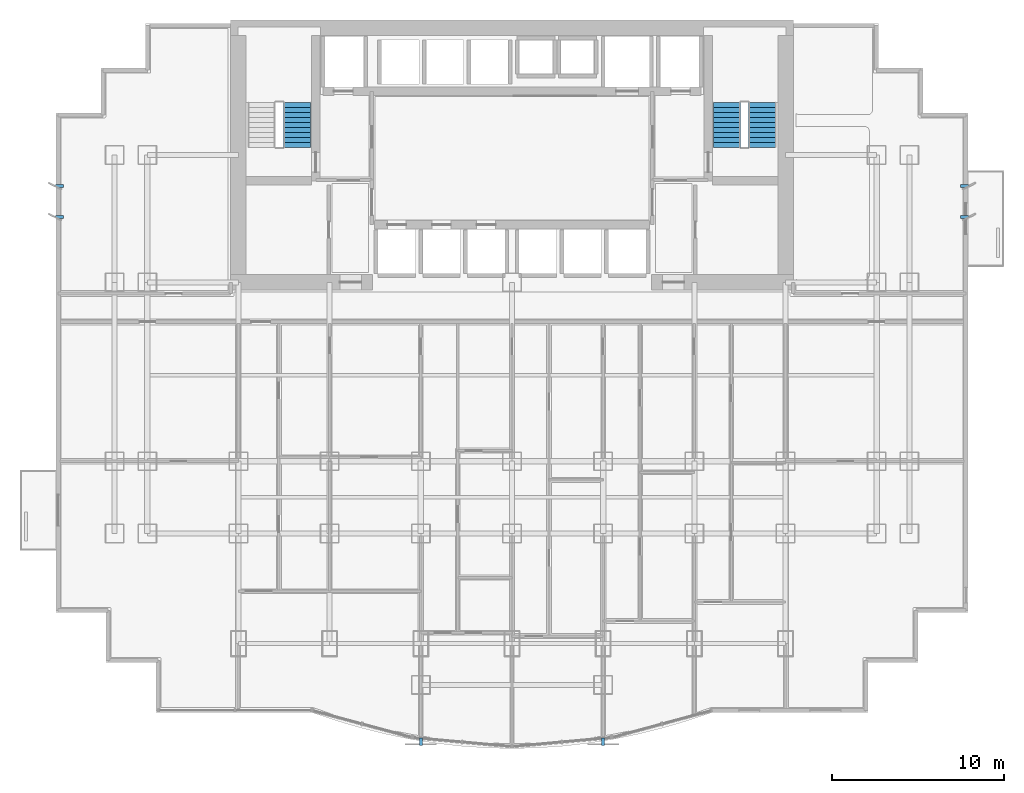
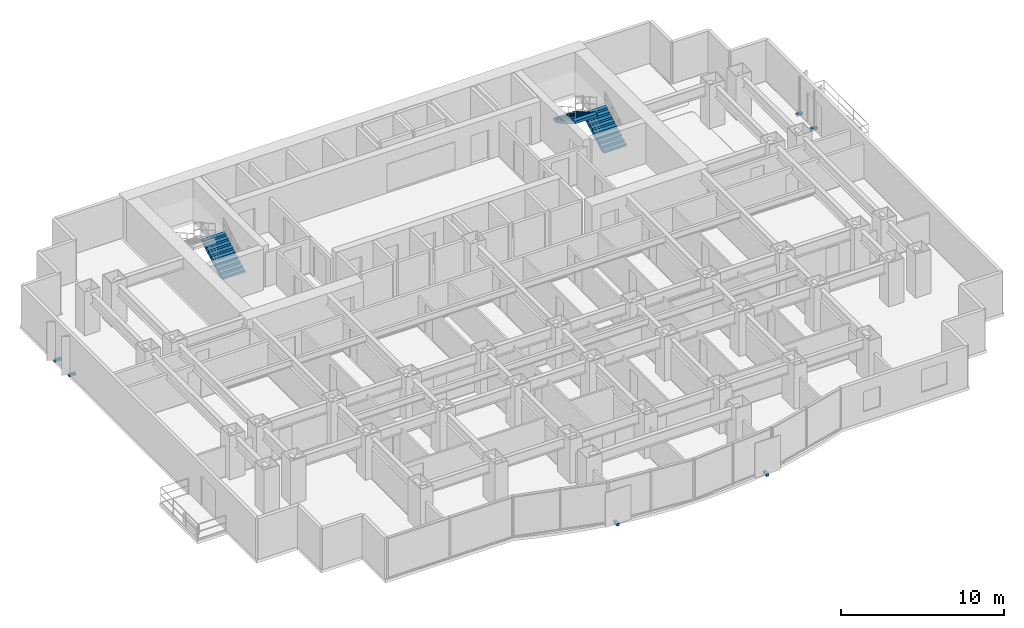
# One storey, part 8 of 10: 6 discrete accessories, 3 stair flights, 2 elements without a shape of their own.
"""IFC4 building model written with IfcOpenShell, lengths in metres."""

import ifcopenshell
import ifcopenshell.guid

model = None  # the IFC model being written
_history = None  # IfcOwnerHistory: only IFC2X3 demands one
_inside = {}  # id of a spatial element -> (the spatial element, [elements in it])
_under = {}  # id of a project, library or spatial element -> (it, [spatial elements below it])
_declared = {}  # id of a project -> (the project, [libraries it declares])
_typed = {}  # id of a type object -> (the type object, [elements of that type])
_made_of = {}  # id of a material, layer set ... -> (it, [elements and type objects made of it])


def new_model(schema):
    """Start an empty IFC model of exactly this schema.

    Asked for "IFC4X3", IfcOpenShell would pick the latest addendum, in which some entities
    have other attributes; the version numbers below select the first issue.
    IFC2X3 requires an IfcOwnerHistory on every rooted entity: one is made here for all.
    """
    global model, _history
    if schema == "IFC4X3":
        model = ifcopenshell.file(schema_version=(4, 3, 0, 0))
    else:
        model = ifcopenshell.file(schema=schema)
    _inside.clear()
    _under.clear()
    _declared.clear()
    _typed.clear()
    _made_of.clear()
    _history = None
    if model.schema == "IFC2X3":
        org = make("IfcOrganization", Name="unknown")
        user = make(
            "IfcPersonAndOrganization",
            ThePerson=make("IfcPerson", FamilyName="unknown"),
            TheOrganization=org,
        )
        app = make(
            "IfcApplication",
            ApplicationDeveloper=org,
            Version="unknown",
            ApplicationFullName="unknown",
            ApplicationIdentifier="unknown",
        )
        _history = make(
            "IfcOwnerHistory",
            OwningUser=user,
            OwningApplication=app,
            ChangeAction="ADDED",
            CreationDate=0,
        )
    return model


def make(cls, **values):
    """One entity of the class cls with the attributes given. An attribute that is None is left unset."""
    return model.create_entity(
        cls, **{name: value for name, value in values.items() if value is not None}
    )


def rooted(cls, **values):
    """An entity with a GlobalId (a new one), such as an element, a storey or a relation."""
    return make(cls, GlobalId=ifcopenshell.guid.new(), OwnerHistory=_history, **values)


def si_unit(unit_type, name, prefix=None):
    """IfcSIUnit, for example si_unit("LENGTHUNIT", "METRE", prefix="MILLI")."""
    return make("IfcSIUnit", UnitType=unit_type, Prefix=prefix, Name=name)


def assignment(units):
    """IfcUnitAssignment: the units of a project."""
    return None if units is None else make("IfcUnitAssignment", Units=units)


def point(xyz):
    """IfcCartesianPoint."""
    return None if xyz is None else make("IfcCartesianPoint", Coordinates=xyz)


def direction(xyz):
    """IfcDirection."""
    return None if xyz is None else make("IfcDirection", DirectionRatios=xyz)


def frame(location, z_axis=None, x_axis=None):
    """IfcAxis2Placement3D, a coordinate frame: its origin and axes. An axis left out is left unset."""
    return make(
        "IfcAxis2Placement3D",
        Location=point(location),
        Axis=direction(z_axis),
        RefDirection=direction(x_axis),
    )


def frame_2d(location, x_axis=None):
    """IfcAxis2Placement2D, a coordinate frame in the plane: its origin and x axis."""
    return make(
        "IfcAxis2Placement2D", Location=point(location), RefDirection=direction(x_axis)
    )


def origin():
    """The frame at (0, 0, 0) with its axes left unset."""
    return frame((0.0, 0.0, 0.0))


def origin_2d():
    """The frame at (0, 0) in the plane with its x axis left unset."""
    return frame_2d((0.0, 0.0))


def place(relative_to, where):
    """IfcLocalPlacement: puts the frame where relative to a parent placement (None: the world)."""
    return make(
        "IfcLocalPlacement", PlacementRelTo=relative_to, RelativePlacement=where
    )


def context(
    kind, dimensions, precision=None, world=None, true_north=None, identifier=None
):
    """IfcGeometricRepresentationContext, for example the 3D "Model" context."""
    return make(
        "IfcGeometricRepresentationContext",
        ContextIdentifier=identifier,
        ContextType=kind,
        CoordinateSpaceDimension=dimensions,
        Precision=precision,
        WorldCoordinateSystem=world,
        TrueNorth=true_north,
    )


def subcontext(parent, identifier, kind, view, scale=None):
    """IfcGeometricRepresentationSubContext, for example "Body" below "Model"."""
    return make(
        "IfcGeometricRepresentationSubContext",
        ContextIdentifier=identifier,
        ContextType=kind,
        ParentContext=parent,
        TargetScale=scale,
        TargetView=view,
    )


def project(units=None, contexts=None):
    """IfcProject with its units and contexts."""
    return rooted(
        "IfcProject",
        Name="project",
        RepresentationContexts=contexts,
        UnitsInContext=assignment(units),
    )


def spatial(cls, under=None, at=None, **own):
    """A site, building, storey or space (cls), placed at a placement, below another one or the project."""
    s = rooted(cls, ObjectPlacement=at, **own)
    if under is not None:
        _under.setdefault(under.id(), (under, []))[1].append(s)
    return s


def polyline(points):
    """IfcPolyline through the points."""
    return make("IfcPolyline", Points=[point(p) for p in points])


def profile(cls, at=None, kind="AREA", **sizes):
    """A parametric profile (cls). Its sizes go by their IFC names, for example OverallWidth=200.0."""
    return make(cls, ProfileType=kind, Position=at, **sizes)


def rectangle(**sizes):
    """IfcRectangleProfileDef."""
    return profile("IfcRectangleProfileDef", **sizes)


def outline(outer, holes=None, kind="AREA"):
    """IfcArbitraryClosedProfileDef: a profile drawn as a closed curve; with holes, ...WithVoids."""
    if holes is None:
        return make("IfcArbitraryClosedProfileDef", ProfileType=kind, OuterCurve=outer)
    return make(
        "IfcArbitraryProfileDefWithVoids",
        ProfileType=kind,
        OuterCurve=outer,
        InnerCurves=holes,
    )


def extrude(swept, where, along, depth):
    """IfcExtrudedAreaSolid: the profile swept, set in the frame where, extruded along a direction by depth."""
    return make(
        "IfcExtrudedAreaSolid",
        SweptArea=swept,
        Position=where,
        ExtrudedDirection=direction(along),
        Depth=depth,
    )


def shape(context_of_items, identifier, shape_type, items):
    """IfcShapeRepresentation: the items that make up one representation, for example the "Body"."""
    return make(
        "IfcShapeRepresentation",
        ContextOfItems=context_of_items,
        RepresentationIdentifier=identifier,
        RepresentationType=shape_type,
        Items=items,
    )


def source(mapping_origin, context_of_items, identifier, shape_type, items):
    """IfcRepresentationMap: a shape defined once, which mapped items show again and again."""
    return make(
        "IfcRepresentationMap",
        MappingOrigin=mapping_origin,
        MappedRepresentation=shape(context_of_items, identifier, shape_type, items),
    )


def transform(
    local_origin,
    x_axis=None,
    y_axis=None,
    z_axis=None,
    scale=None,
    scale2=None,
    scale3=None,
    uniform=True,
):
    """IfcCartesianTransformationOperator3D, or its non-uniform kind. x_axis, y_axis, z_axis: its Axis1, 2, 3."""
    if uniform:
        return make(
            "IfcCartesianTransformationOperator3D",
            Axis1=direction(x_axis),
            Axis2=direction(y_axis),
            LocalOrigin=point(local_origin),
            Scale=scale,
            Axis3=direction(z_axis),
        )
    return make(
        "IfcCartesianTransformationOperator3DnonUniform",
        Axis1=direction(x_axis),
        Axis2=direction(y_axis),
        LocalOrigin=point(local_origin),
        Scale=scale,
        Axis3=direction(z_axis),
        Scale2=scale2,
        Scale3=scale3,
    )


def mapped(mapping_source, mapping_target):
    """IfcMappedItem: shows the shape of a source again, moved by a transform."""
    return make(
        "IfcMappedItem", MappingSource=mapping_source, MappingTarget=mapping_target
    )


def material(Name=None, Category=None):
    """IfcMaterial."""
    return make("IfcMaterial", Name=Name, Category=Category)


def made_of(thing, what):
    """Note that an element or type object is made of a material, layer set ...; save() writes the relation."""
    if what is not None:
        _made_of.setdefault(what.id(), (what, []))[1].append(thing)
    return thing


def type_object(cls, material=None, **own):
    """A type object (cls), such as IfcWallType, which elements share."""
    return made_of(rooted(cls, **own), material)


def element(
    cls,
    number,
    at=None,
    inside=None,
    cuts=None,
    type_object=None,
    material=None,
    context=None,
    identifier="Body",
    shape_type=None,
    held_by="IfcProductDefinitionShape",
    body=None,
    shapes=None,
    **own,
):
    """One element of the class cls, such as IfcWall. Its Tag is "e" and its number.

    at: its placement. inside: the storey or other place that contains it. cuts: it is an
    opening in that element (IfcRelVoidsElement). A single representation is given by context,
    identifier, shape_type and body (its items); several are given by shapes. held_by: the class
    of the entity that holds the representations. save() writes the other relations.
    """
    e = rooted(cls, Tag="e%d" % number, ObjectPlacement=at, **own)
    if body is not None:
        shapes = [shape(context, identifier, shape_type, body)]
    if shapes is not None:
        e.Representation = make(held_by, Representations=shapes)
    if inside is not None:
        _inside.setdefault(inside.id(), (inside, []))[1].append(e)
    if cuts is not None:
        rooted(
            "IfcRelVoidsElement", RelatingBuildingElement=cuts, RelatedOpeningElement=e
        )
    if type_object is not None:
        _typed.setdefault(type_object.id(), (type_object, []))[1].append(e)
    return made_of(e, material)


def aggregate(whole, parts):
    """IfcRelAggregates: a whole, such as a stair, and the parts it consists of."""
    return rooted("IfcRelAggregates", RelatingObject=whole, RelatedObjects=parts)


def save(model, path):
    """Write the relations noted so far, then the file.

    IfcRelAggregates (storeys below a building ...), IfcRelContainedInSpatialStructure (elements
    in a storey), IfcRelDefinesByType, IfcRelAssociatesMaterial and IfcRelDeclares: one each for
    every whole, place, type object, material and project.
    """
    for whole, parts in _under.values():
        aggregate(whole, parts)
    for where, things in _inside.values():
        rooted(
            "IfcRelContainedInSpatialStructure",
            RelatedElements=things,
            RelatingStructure=where,
        )
    for kind, things in _typed.values():
        rooted("IfcRelDefinesByType", RelatedObjects=things, RelatingType=kind)
    for what, things in _made_of.values():
        rooted("IfcRelAssociatesMaterial", RelatedObjects=things, RelatingMaterial=what)
    for by, libraries in _declared.values():
        rooted("IfcRelDeclares", RelatingContext=by, RelatedDefinitions=libraries)
    model.write(path)


model = new_model("IFC4")

# Units and contexts
model_context = context("Model", 3, precision=1e-05, world=origin(), true_north=direction((0.0, 1.0)))
body_context = subcontext(model_context, "Body", "Model", "MODEL_VIEW")
ifc_project = project(units=[si_unit("LENGTHUNIT", "METRE"), si_unit("AREAUNIT", "SQUARE_METRE"), si_unit("VOLUMEUNIT", "CUBIC_METRE"), si_unit("PLANEANGLEUNIT", "RADIAN"), si_unit("MASSUNIT", "GRAM", prefix="KILO")], contexts=[model_context])

# Site, building, storey
site_placement = place(None, origin())
site = spatial("IfcSite", under=ifc_project, at=site_placement, CompositionType="ELEMENT")
building_placement = place(site_placement, origin())
building = spatial("IfcBuilding", under=site, at=building_placement, Name="Qianlan Lanfeng Residences", CompositionType="ELEMENT")
storey_placement = place(building_placement, frame((0.0, 0.0, 57.199951171875)))
storey = spatial("IfcBuildingStorey", under=building, at=storey_placement, Name="L15", CompositionType="ELEMENT", Elevation=57.199951171875)

# Stair, stair flight
ifc_material_1 = material(Name="Concrete C42", Category="concrete")
stair_type = type_object("IfcStairType", Name="STR-MAIN", PredefinedType="HALF_TURN_STAIR", material=ifc_material_1)
stair_1_placement = place(storey_placement, origin())
stair_1 = element("IfcStair", 1, at=stair_1_placement, inside=storey, type_object=stair_type, Name="L15 Exit Stair ST-1", PredefinedType="HALF_TURN_STAIR")
stair_flight_type = type_object("IfcStairFlightType", Name="FLT-1720", PredefinedType="STRAIGHT", material=ifc_material_1)
stair_flight_1_placement = place(storey_placement, frame((14.02001953125, 33.050048828125, 0.0), z_axis=(0.0, 0.0, 1.0), x_axis=(0.0, 1.0, 0.0)))
stair_flight_1 = element("IfcStairFlight", 2, at=stair_flight_1_placement, type_object=stair_flight_type, Name="ST-1 flight 1", NumberOfRisers=10, NumberOfTreads=9, PredefinedType="STRAIGHT", RiserHeight=0.165, TreadLength=0.29, context=body_context, shape_type="SweptSolid", body=[
    extrude(outline(polyline([(0.0, 0.0), (0.0, 0.1650390625), (0.2900390625, 0.1650390625), (0.2900390625, 0.330078125), (0.580078125, 0.330078125), (0.580078125, 0.4951171875), (0.8701171875, 0.4951171875), (0.8701171875, 0.659912109375), (1.159912109375, 0.659912109375), (1.159912109375, 0.824951171875), (1.449951171875, 0.824951171875), (1.449951171875, 0.989990234375), (1.739990234375, 0.989990234375), (1.739990234375, 1.155029296875), (2.030029296875, 1.155029296875), (2.030029296875, 1.320068359375), (2.320068359375, 1.320068359375), (2.320068359375, 1.485107421875), (2.610107421875, 1.485107421875), (2.610107421875, 1.64990234375), (2.610107421875, 1.278076171875), (0.36376953125, 0.0), (0.0, 0.0)])), frame((0.0, 0.800048828125, 0.0), z_axis=(0.0, -1.0, 0.0), x_axis=(1.0, 0.0, 0.0)), (0.0, 0.0, 1.0), 1.60009765625),
])
aggregate(stair_1, [stair_flight_1])

# Stair, stair flights
stair_2_placement = place(storey_placement, origin())
stair_2 = element("IfcStair", 3, at=stair_2_placement, inside=storey, type_object=stair_type, Name="L15 Exit Stair ST-2", PredefinedType="HALF_TURN_STAIR")
stair_flight_2_placement = place(storey_placement, frame((41.06005859375, 33.050048828125, 0.0), z_axis=(0.0, 0.0, 1.0), x_axis=(0.0, 1.0, 0.0)))
stair_flight_2 = element("IfcStairFlight", 4, at=stair_flight_2_placement, type_object=stair_flight_type, Name="ST-2 flight 1", NumberOfRisers=10, NumberOfTreads=9, PredefinedType="STRAIGHT", RiserHeight=0.165, TreadLength=0.29, context=body_context, shape_type="SweptSolid", body=[
    extrude(outline(polyline([(0.0, 0.0), (0.0, 0.1650390625), (0.2900390625, 0.1650390625), (0.2900390625, 0.330078125), (0.580078125, 0.330078125), (0.580078125, 0.4951171875), (0.8701171875, 0.4951171875), (0.8701171875, 0.659912109375), (1.159912109375, 0.659912109375), (1.159912109375, 0.824951171875), (1.449951171875, 0.824951171875), (1.449951171875, 0.989990234375), (1.739990234375, 0.989990234375), (1.739990234375, 1.155029296875), (2.030029296875, 1.155029296875), (2.030029296875, 1.320068359375), (2.320068359375, 1.320068359375), (2.320068359375, 1.485107421875), (2.610107421875, 1.485107421875), (2.610107421875, 1.64990234375), (2.610107421875, 1.278076171875), (0.36376953125, 0.0), (0.0, 0.0)])), frame((0.0, 0.800048828125, 0.0), z_axis=(0.0, -1.0, 0.0), x_axis=(1.0, 0.0, 0.0)), (0.0, 0.0, 1.0), 1.60009765625),
])
stair_flight_3_placement = place(storey_placement, frame((38.97998046875, 35.659912109375, 1.650146484375), z_axis=(0.0, 0.0, 1.0), x_axis=(0.0, -1.0, 0.0)))
stair_flight_3 = element("IfcStairFlight", 5, at=stair_flight_3_placement, type_object=stair_flight_type, Name="ST-2 flight 2", NumberOfRisers=10, NumberOfTreads=9, PredefinedType="STRAIGHT", RiserHeight=0.165, TreadLength=0.29, context=body_context, shape_type="SweptSolid", body=[
    extrude(outline(polyline([(0.0, 0.0), (0.0, 0.1650390625), (0.2900390625, 0.1650390625), (0.2900390625, 0.330078125), (0.580078125, 0.330078125), (0.580078125, 0.4951171875), (0.8701171875, 0.4951171875), (0.8701171875, 0.659912109375), (1.159912109375, 0.659912109375), (1.159912109375, 0.824951171875), (1.449951171875, 0.824951171875), (1.449951171875, 0.989990234375), (1.739990234375, 0.989990234375), (1.739990234375, 1.155029296875), (2.030029296875, 1.155029296875), (2.030029296875, 1.320068359375), (2.320068359375, 1.320068359375), (2.320068359375, 1.485107421875), (2.610107421875, 1.485107421875), (2.610107421875, 1.64990234375), (2.610107421875, 1.278076171875), (0.36376953125, 0.0), (0.0, 0.0)])), frame((0.0, 0.800048828125, 0.0), z_axis=(0.0, -1.0, 0.0), x_axis=(1.0, 0.0, 0.0)), (0.0, 0.0, 1.0), 1.60009765625),
])
aggregate(stair_2, [stair_flight_2, stair_flight_3])

# Discrete accessories
ifc_material_2 = material(Name="Stainless Steel Facade Bracket", Category="steel")
discrete_accessory_type = type_object("IfcDiscreteAccessoryType", Name="BRK-SS-350", PredefinedType="BRACKET", material=ifc_material_2)
shared_shape_1 = source(origin(), body_context, "Body", "SweptSolid", [
    extrude(rectangle(XDim=0.179931640625, YDim=0.449951171875, at=origin_2d()), origin(), (0.0, 0.0, 1.0), 0.179931640625),
])
for number, where, z_axis, x_axis, name in (
    (6, (21.199951171875, -1.5, -0.14990234375), (0.0, 0.0, 1.0), (1.0, 0.0, 0.0), "L15 Solar Screen Support Bracket 1"),
    (7, (31.800048828125, -1.5, -0.14990234375), (0.0, 0.0, 1.0), (1.0, 0.0, 0.0), "L15 Solar Screen Support Bracket 2"),
):
    element("IfcDiscreteAccessory", number, at=place(storey_placement, frame(where, z_axis=z_axis, x_axis=x_axis)), inside=storey, type_object=discrete_accessory_type, Name=name, PredefinedType="BRACKET", context=body_context, shape_type="MappedRepresentation", body=[
        mapped(shared_shape_1, transform((0.0, 0.0, 0.0), scale=1.0)),
    ])
shared_shape_2 = source(origin(), body_context, "Body", "SweptSolid", [
    extrude(rectangle(XDim=0.449951171875, YDim=0.179931640625, at=origin_2d()), origin(), (0.0, 0.0, 1.0), 0.179931640625),
])
for number, where, z_axis, x_axis, name in (
    (8, (0.199951171875, 29.0, -0.14990234375), (0.0, 0.0, 1.0), (1.0, 0.0, 0.0), "L15 Raked Solar Fin Support Bracket W1"),
    (9, (0.199951171875, 30.800048828125, -0.14990234375), (0.0, 0.0, 1.0), (1.0, 0.0, 0.0), "L15 Raked Solar Fin Support Bracket W2"),
    (10, (52.800048828125, 29.0, -0.14990234375), (0.0, 0.0, 1.0), (1.0, 0.0, 0.0), "L15 Raked Solar Fin Support Bracket E1"),
    (11, (52.800048828125, 30.800048828125, -0.14990234375), (0.0, 0.0, 1.0), (1.0, 0.0, 0.0), "L15 Raked Solar Fin Support Bracket E2"),
):
    element("IfcDiscreteAccessory", number, at=place(storey_placement, frame(where, z_axis=z_axis, x_axis=x_axis)), inside=storey, type_object=discrete_accessory_type, Name=name, PredefinedType="BRACKET", context=body_context, shape_type="MappedRepresentation", body=[
        mapped(shared_shape_2, transform((0.0, 0.0, 0.0), scale=1.0)),
    ])

save(model, "model.ifc")
